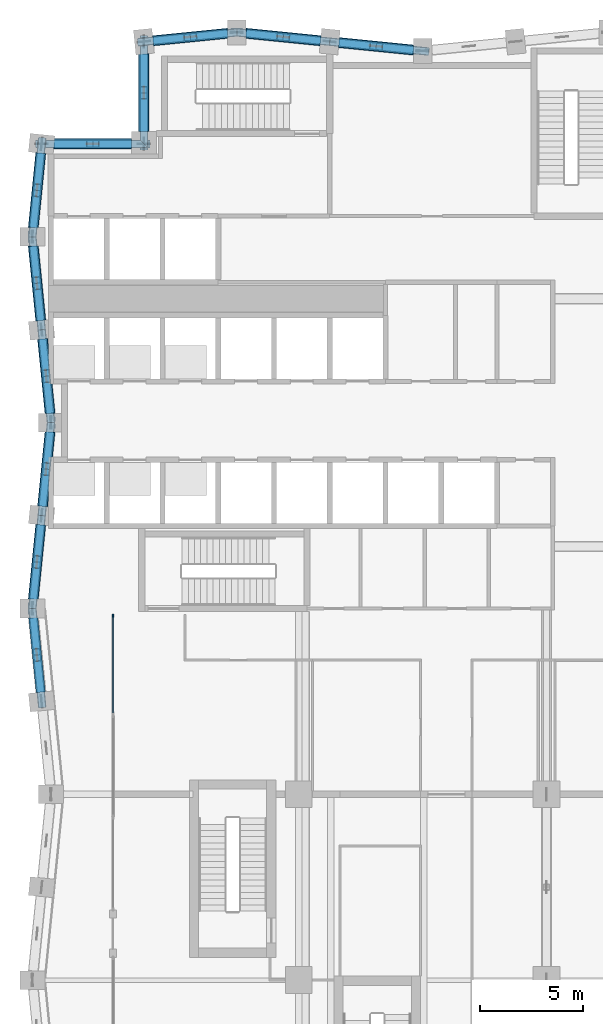
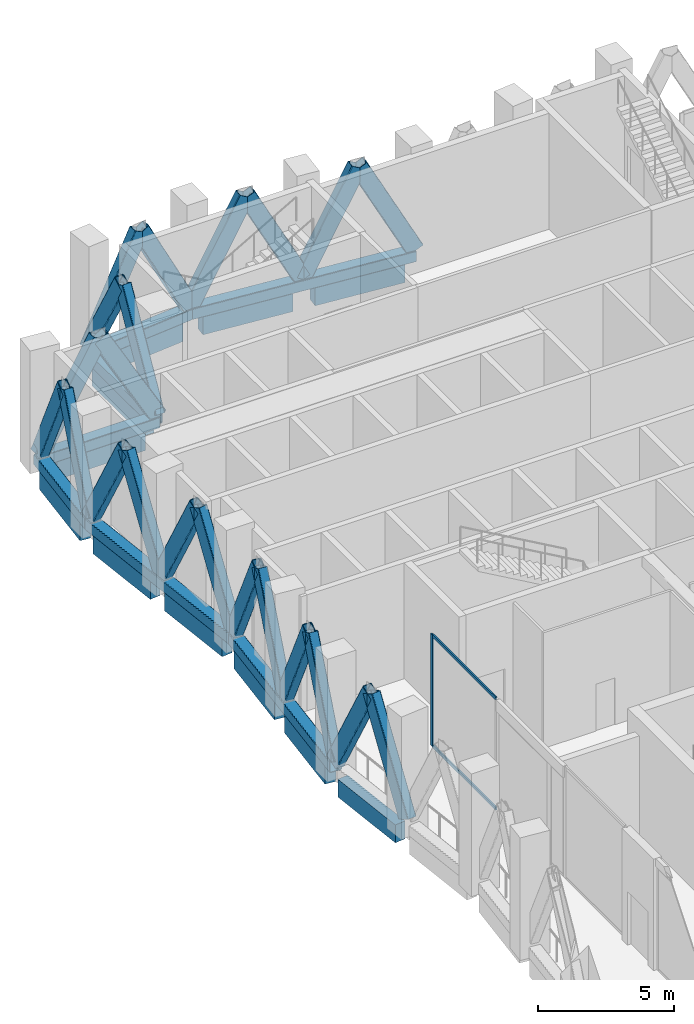
# One storey, part 11 of 37: 32 members, 11 beams, 1 element without a shape of its own.
"""IFC4 building model written with IfcOpenShell, lengths in metres."""

from ifc_helpers import new_model, si_unit, direction, frame, origin, origin_2d, place, context, subcontext, project, spatial, rectangle, hollow_rectangle, extrude, material, material_profile, profile_set, type_object, element, aggregate, save


model = new_model("IFC4")

# Units and contexts
model_context = context("Model", 3, precision=1e-05, world=origin(), true_north=direction((0.0, 1.0)))
body_context = subcontext(model_context, "Body", "Model", "MODEL_VIEW")
ifc_project = project(units=[si_unit("LENGTHUNIT", "METRE"), si_unit("AREAUNIT", "SQUARE_METRE"), si_unit("VOLUMEUNIT", "CUBIC_METRE"), si_unit("PLANEANGLEUNIT", "RADIAN"), si_unit("MASSUNIT", "GRAM", prefix="KILO")], contexts=[model_context])

# Site, building, storey
site_placement = place(None, origin())
site = spatial("IfcSite", under=ifc_project, at=site_placement, CompositionType="ELEMENT")
building_placement = place(site_placement, origin())
building = spatial("IfcBuilding", under=site, at=building_placement, Name="Brondeck Convention Tower", CompositionType="ELEMENT")
storey_placement = place(building_placement, frame((0.0, 0.0, 137.89990234375)))
storey = spatial("IfcBuildingStorey", under=building, at=storey_placement, Name="L33", CompositionType="ELEMENT", Elevation=137.89990234375)

# Curtain wall, members
ifc_material_1 = material(Name="Aluminium, bronze anodised", Category="aluminium")
curtain_wall_type = type_object("IfcCurtainWallType", Name="Sky lobby curtain wall", PredefinedType="NOTDEFINED", material=ifc_material_1)
curtain_wall_placement = place(storey_placement, origin())
curtain_wall = element("IfcCurtainWall", 1, at=curtain_wall_placement, inside=storey, type_object=curtain_wall_type, Name="ENV-L33-029-CW30", PredefinedType="NOTDEFINED")
ifc_material_profile_1 = material_profile(ifc_material_1, rectangle(XDim=0.06005859375, YDim=0.159912109375, at=origin_2d()), Name="CW3 mullion")
ifc_profile_set_1 = profile_set([ifc_material_profile_1], Name="Aluminium, bronze anodised")
member_type_1 = type_object("IfcMemberType", Name="CW3 mullion", PredefinedType="MULLION", material=ifc_profile_set_1)
member_1_placement = place(storey_placement, frame((3.0, 35.64990234375, 0.0), z_axis=(0.0, 0.0, 1.0), x_axis=(-1.0, 0.0, 0.0)))
member_1 = element("IfcMember", 2, at=member_1_placement, type_object=member_type_1, Name="CW3 mullion 2", PredefinedType="MULLION", context=body_context, shape_type="SweptSolid", body=[
    extrude(rectangle(XDim=0.06005859375, YDim=0.159912109375, at=origin_2d()), origin(), (0.0, 0.0, 1.0), 5.0),
])
ifc_material_profile_2 = material_profile(ifc_material_1, rectangle(XDim=0.06005859375, YDim=0.139892578125, at=origin_2d()), Name="CW3 transom")
ifc_profile_set_2 = profile_set([ifc_material_profile_2], Name="Aluminium, bronze anodised")
member_type_2 = type_object("IfcMemberType", Name="CW3 transom", PredefinedType="USERDEFINED", material=ifc_profile_set_2)
member_2_placement = place(storey_placement, frame((3.0, 30.93994140625, 0.030029296875), z_axis=(0.0, 1.0, 0.0), x_axis=(-1.0, 0.0, 0.0)))
member_2 = element("IfcMember", 3, at=member_2_placement, type_object=member_type_2, Name="CW3 transom 1.1", ObjectType="TRANSOM", PredefinedType="USERDEFINED", context=body_context, shape_type="SweptSolid", body=[
    extrude(rectangle(XDim=0.06005859375, YDim=0.139892578125, at=origin_2d()), origin(), (0.0, 0.0, 1.0), 4.68017578125),
])
member_3_placement = place(storey_placement, frame((3.0, 30.93994140625, 4.97021484375), z_axis=(0.0, 1.0, 0.0), x_axis=(-1.0, 0.0, 0.0)))
member_3 = element("IfcMember", 4, at=member_3_placement, type_object=member_type_2, Name="CW3 transom 1.2", ObjectType="TRANSOM", PredefinedType="USERDEFINED", context=body_context, shape_type="SweptSolid", body=[
    extrude(rectangle(XDim=0.06005859375, YDim=0.139892578125, at=origin_2d()), origin(), (0.0, 0.0, 1.0), 4.68017578125),
])
aggregate(curtain_wall, [member_1, member_2, member_3])

# Members
ifc_material_2 = material(Name="Steel S460", Category="steel")
ifc_material_profile_3 = material_profile(ifc_material_2, hollow_rectangle(XDim=0.39990234375, YDim=0.699951171875, WallThickness=0.030029296875, InnerFilletRadius=0.030029296875, OuterFilletRadius=0.06005859375, at=origin_2d()), Name="RHS 700x400x30")
ifc_profile_set_3 = profile_set([ifc_material_profile_3], Name="Steel S460")
member_type_3 = type_object("IfcMemberType", Name="Chevron brace RHS 700x400x30", PredefinedType="BRACE", material=ifc_profile_set_3)
for number, where, z_axis, x_axis, name in (
    (5, (18.0, 63.0, 0.5), (-0.458930303654, 0.045912949215, 0.887285172581), (-0.099546478526, -0.995032913332, 0.0), "Belt truss BT-33-42 diagonal"),
    (6, (13.5, 63.449951171875, 0.5), (0.458931352356, -0.045863256892, 0.887287200117), (0.099439578731, 0.995043602151, 0.0), "Belt truss BT-33-42 diagonal"),
    (7, (13.5, 63.449951171875, 0.5), (-0.458930303654, 0.045912949215, 0.887285172581), (-0.099546478526, -0.995032913332, 0.0), "Belt truss BT-33-43 diagonal"),
    (8, (9.0, 63.89990234375, 0.5), (0.458931352356, -0.045863256892, 0.887287200117), (0.099439578731, 0.995043602151, 0.0), "Belt truss BT-33-43 diagonal"),
    (9, (9.0, 63.89990234375, 0.5), (-0.458931352356, -0.045863256892, 0.887287200117), (0.099439578731, -0.995043602151, 0.0), "Belt truss BT-33-44 diagonal"),
    (10, (4.5, 63.449951171875, 0.5), (0.458930303654, 0.045912949215, 0.887285172581), (-0.099546478526, 0.995032913332, 0.0), "Belt truss BT-33-44 diagonal"),
):
    element("IfcMember", number, at=place(storey_placement, frame(where, z_axis=z_axis, x_axis=x_axis)), inside=storey, type_object=member_type_3, Name=name, PredefinedType="BRACE", context=body_context, shape_type="SweptSolid", body=[
        extrude(hollow_rectangle(XDim=0.39990234375, YDim=0.699951171875, WallThickness=0.030029296875, InnerFilletRadius=0.030029296875, OuterFilletRadius=0.06005859375, at=origin_2d()), origin(), (0.0, 0.0, 1.0), 4.902587890625),
    ])
for number, where, z_axis, x_axis, name in (
    (11, (4.5, 63.449951171875, 0.5), (0.0, -0.494493751194, 0.869181183661), (1.0, 0.0, 0.0), "Belt truss BT-33-45 diagonal"),
    (12, (4.5, 58.5, 0.5), (0.0, 0.494530602788, 0.869160217052), (-1.0, 0.0, 0.0), "Belt truss BT-33-45 diagonal"),
    (13, (4.5, 58.5, 0.5), (-0.494530602788, 0.0, 0.869160217052), (0.0, -1.0, 0.0), "Belt truss BT-33-46 diagonal"),
    (14, (-0.449951171875, 58.5, 0.5), (0.494493751194, 0.0, 0.869181183661), (0.0, 1.0, 0.0), "Belt truss BT-33-46 diagonal"),
):
    element("IfcMember", number, at=place(storey_placement, frame(where, z_axis=z_axis, x_axis=x_axis)), inside=storey, type_object=member_type_3, Name=name, PredefinedType="BRACE", context=body_context, shape_type="SweptSolid", body=[
        extrude(hollow_rectangle(XDim=0.39990234375, YDim=0.699951171875, WallThickness=0.030029296875, InnerFilletRadius=0.030029296875, OuterFilletRadius=0.06005859375, at=origin_2d()), origin(), (0.0, 0.0, 1.0), 5.0048828125),
    ])
for number, where, z_axis, x_axis, name in (
    (15, (-0.449951171875, 58.5, 0.5), (-0.045912949215, -0.458930303654, 0.887285172581), (0.995032913332, -0.099546478526, 0.0), "Belt truss BT-33-47 diagonal"),
    (16, (-0.89990234375, 54.0, 0.5), (0.045863256892, 0.458931352356, 0.887287200117), (-0.995043602151, 0.099439578731, 0.0), "Belt truss BT-33-47 diagonal"),
    (17, (-0.89990234375, 54.0, 0.5), (0.045863256892, -0.458931352356, 0.887287200117), (0.995043602151, 0.099439578731, 0.0), "Belt truss BT-33-48 diagonal"),
    (18, (-0.449951171875, 49.5, 0.5), (-0.045912949215, 0.458930303654, 0.887285172581), (-0.995032913332, -0.099546478526, 0.0), "Belt truss BT-33-48 diagonal"),
    (19, (-0.449951171875, 49.5, 0.5), (0.045863256892, -0.458931352356, 0.887287200117), (0.995043602151, 0.099439578731, 0.0), "Belt truss BT-33-49 diagonal"),
    (20, (0.0, 45.0, 0.5), (-0.045912949215, 0.458930303654, 0.887285172581), (-0.995032913332, -0.099546478526, 0.0), "Belt truss BT-33-49 diagonal"),
    (21, (0.0, 45.0, 0.5), (-0.045912949215, -0.458930303654, 0.887285172581), (0.995032913332, -0.099546478526, 0.0), "Belt truss BT-33-50 diagonal"),
    (22, (-0.449951171875, 40.5, 0.5), (0.045863256892, 0.458931352356, 0.887287200117), (-0.995043602151, 0.099439578731, 0.0), "Belt truss BT-33-50 diagonal"),
    (23, (-0.449951171875, 40.5, 0.5), (-0.045912949215, -0.458930303654, 0.887285172581), (0.995032913332, -0.099546478526, 0.0), "Belt truss BT-33-51 diagonal"),
    (24, (-0.89990234375, 36.0, 0.5), (0.045863256892, 0.458931352356, 0.887287200117), (-0.995043602151, 0.099439578731, 0.0), "Belt truss BT-33-51 diagonal"),
    (25, (-0.89990234375, 36.0, 0.5), (0.045863256892, -0.458931352356, 0.887287200117), (0.995043602151, 0.099439578731, 0.0), "Belt truss BT-33-52 diagonal"),
    (26, (-0.449951171875, 31.5, 0.5), (-0.045912949215, 0.458930303654, 0.887285172581), (-0.995032913332, -0.099546478526, 0.0), "Belt truss BT-33-52 diagonal"),
):
    element("IfcMember", number, at=place(storey_placement, frame(where, z_axis=z_axis, x_axis=x_axis)), inside=storey, type_object=member_type_3, Name=name, PredefinedType="BRACE", context=body_context, shape_type="SweptSolid", body=[
        extrude(hollow_rectangle(XDim=0.39990234375, YDim=0.699951171875, WallThickness=0.030029296875, InnerFilletRadius=0.030029296875, OuterFilletRadius=0.06005859375, at=origin_2d()), origin(), (0.0, 0.0, 1.0), 4.902587890625),
    ])

# Beams
ifc_material_3 = material(Name="Concrete C70/85", Category="concrete")
ifc_material_profile_4 = material_profile(ifc_material_3, rectangle(XDim=0.449951171875, YDim=0.800048828125, at=origin_2d()), Name="Precast spandrel 450x800 Concrete C70/85")
ifc_profile_set_4 = profile_set([ifc_material_profile_4], Name="Concrete C70/85")
beam_type = type_object("IfcBeamType", Name="Precast spandrel 450x800 Concrete C70/85", PredefinedType="SPANDREL", material=ifc_profile_set_4)
for number, where, z_axis, x_axis, name in (
    (27, (17.550048828125, 63.044921875, -0.39990234375), (-0.995033851182, 0.099537103649, 0.0), (-0.099537103649, -0.995033851182, 0.0), "STR-SP-L33-042"),
    (28, (13.05224609375, 63.494873046875, -0.39990234375), (-0.995040528141, 0.099470334057, 0.0), (-0.099470334057, -0.995040528141, 0.0), "STR-SP-L33-043"),
    (29, (8.550048828125, 63.85498046875, -0.39990234375), (-0.995040528141, -0.099470334057, 0.0), (0.099470334057, -0.995040528141, 0.0), "STR-SP-L33-044"),
):
    element("IfcBeam", number, at=place(storey_placement, frame(where, z_axis=z_axis, x_axis=x_axis)), inside=storey, type_object=beam_type, Name=name, PredefinedType="SPANDREL", context=body_context, shape_type="SweptSolid", body=[
        extrude(rectangle(XDim=0.449951171875, YDim=0.800048828125, at=origin_2d()), origin(), (0.0, 0.0, 1.0), 3.620361328125),
    ])
for number, where, z_axis, x_axis, name in (
    (30, (4.5, 62.846923828125, -0.39990234375), (0.0, -1.0, 0.0), (1.0, 0.0, 0.0), "STR-SP-L33-045"),
    (31, (3.89990234375, 58.5, -0.39990234375), (-1.0, 0.0, 0.0), (0.0, -1.0, 0.0), "STR-SP-L33-046"),
):
    element("IfcBeam", number, at=place(storey_placement, frame(where, z_axis=z_axis, x_axis=x_axis)), inside=storey, type_object=beam_type, Name=name, PredefinedType="SPANDREL", context=body_context, shape_type="SweptSolid", body=[
        extrude(rectangle(XDim=0.449951171875, YDim=0.800048828125, at=origin_2d()), origin(), (0.0, 0.0, 1.0), 3.746826171875),
    ])
for number, where, z_axis, x_axis, name in (
    (32, (-0.494873046875, 58.05224609375, -0.39990234375), (-0.099470334057, -0.995040528141, 0.0), (0.995040528141, -0.099470334057, 0.0), "STR-SP-L33-047"),
    (33, (-0.85498046875, 53.550048828125, -0.39990234375), (0.099470334057, -0.995040528141, 0.0), (0.995040528141, 0.099470334057, 0.0), "STR-SP-L33-048"),
    (34, (-0.4052734375, 49.05224609375, -0.39990234375), (0.099537103649, -0.995033851182, 0.0), (0.995033851182, 0.099537103649, 0.0), "STR-SP-L33-049"),
    (35, (-0.044921875, 44.550048828125, -0.39990234375), (-0.099537103649, -0.995033851182, 0.0), (0.995033851182, -0.099537103649, 0.0), "STR-SP-L33-050"),
    (36, (-0.494873046875, 40.05224609375, -0.39990234375), (-0.099470334057, -0.995040528141, 0.0), (0.995040528141, -0.099470334057, 0.0), "STR-SP-L33-051"),
    (37, (-0.85498046875, 35.550048828125, -0.39990234375), (0.099470334057, -0.995040528141, 0.0), (0.995040528141, 0.099470334057, 0.0), "STR-SP-L33-052"),
):
    element("IfcBeam", number, at=place(storey_placement, frame(where, z_axis=z_axis, x_axis=x_axis)), inside=storey, type_object=beam_type, Name=name, PredefinedType="SPANDREL", context=body_context, shape_type="SweptSolid", body=[
        extrude(rectangle(XDim=0.449951171875, YDim=0.800048828125, at=origin_2d()), origin(), (0.0, 0.0, 1.0), 3.620361328125),
    ])

# Members
ifc_material_profile_5 = material_profile(ifc_material_2, hollow_rectangle(XDim=0.5, YDim=0.5, WallThickness=0.02490234375, InnerFilletRadius=0.02490234375, OuterFilletRadius=0.050048828125, at=origin_2d()), Name="RHS 500x500x25")
ifc_profile_set_5 = profile_set([ifc_material_profile_5], Name="Steel S460")
member_type_4 = type_object("IfcMemberType", Name="Truss chord RHS 500x500x25", PredefinedType="CHORD", material=ifc_profile_set_5)
member_4_placement = place(storey_placement, frame((18.0, 63.0, 0.25), z_axis=(-0.995038259148, 0.099493029059, 0.0), x_axis=(-0.099493029059, -0.995038259148, 0.0)))
element("IfcMember", 38, at=member_4_placement, inside=storey, type_object=member_type_4, Name="Belt truss BT-33-22 chord", PredefinedType="CHORD", context=body_context, shape_type="SweptSolid", body=[
    extrude(hollow_rectangle(XDim=0.5, YDim=0.5, WallThickness=0.02490234375, InnerFilletRadius=0.02490234375, OuterFilletRadius=0.050048828125, at=origin_2d()), origin(), (0.0, 0.0, 1.0), 9.044921875),
])
member_5_placement = place(storey_placement, frame((9.0, 63.89990234375, 0.25), z_axis=(-0.995038259148, -0.099493029059, 0.0), x_axis=(0.099493029059, -0.995038259148, 0.0)))
element("IfcMember", 39, at=member_5_placement, inside=storey, type_object=member_type_4, Name="Belt truss BT-33-23 chord", PredefinedType="CHORD", context=body_context, shape_type="SweptSolid", body=[
    extrude(hollow_rectangle(XDim=0.5, YDim=0.5, WallThickness=0.02490234375, InnerFilletRadius=0.02490234375, OuterFilletRadius=0.050048828125, at=origin_2d()), origin(), (0.0, 0.0, 1.0), 4.5224609375),
])
for number, where, z_axis, x_axis, name in (
    (40, (4.5, 63.449951171875, 0.25), (0.0, -1.0, 0.0), (1.0, 0.0, 0.0), "Belt truss BT-33-24 chord"),
    (41, (4.5, 58.5, 0.25), (-1.0, 0.0, 0.0), (0.0, -1.0, 0.0), "Belt truss BT-33-25 chord"),
):
    element("IfcMember", number, at=place(storey_placement, frame(where, z_axis=z_axis, x_axis=x_axis)), inside=storey, type_object=member_type_4, Name=name, PredefinedType="CHORD", context=body_context, shape_type="SweptSolid", body=[
        extrude(hollow_rectangle(XDim=0.5, YDim=0.5, WallThickness=0.02490234375, InnerFilletRadius=0.02490234375, OuterFilletRadius=0.050048828125, at=origin_2d()), origin(), (0.0, 0.0, 1.0), 4.949951171875),
    ])
member_6_placement = place(storey_placement, frame((-0.449951171875, 58.5, 0.25), z_axis=(-0.099493029059, -0.995038259148, 0.0), x_axis=(0.995038259148, -0.099493029059, 0.0)))
element("IfcMember", 42, at=member_6_placement, inside=storey, type_object=member_type_4, Name="Belt truss BT-33-26 chord", PredefinedType="CHORD", context=body_context, shape_type="SweptSolid", body=[
    extrude(hollow_rectangle(XDim=0.5, YDim=0.5, WallThickness=0.02490234375, InnerFilletRadius=0.02490234375, OuterFilletRadius=0.050048828125, at=origin_2d()), origin(), (0.0, 0.0, 1.0), 4.5224609375),
])
for number, where, z_axis, x_axis, name in (
    (43, (-0.89990234375, 54.0, 0.25), (0.099493029059, -0.995038259148, 0.0), (0.995038259148, 0.099493029059, 0.0), "Belt truss BT-33-27 chord"),
    (44, (0.0, 45.0, 0.25), (-0.099493029059, -0.995038259148, 0.0), (0.995038259148, -0.099493029059, 0.0), "Belt truss BT-33-28 chord"),
):
    element("IfcMember", number, at=place(storey_placement, frame(where, z_axis=z_axis, x_axis=x_axis)), inside=storey, type_object=member_type_4, Name=name, PredefinedType="CHORD", context=body_context, shape_type="SweptSolid", body=[
        extrude(hollow_rectangle(XDim=0.5, YDim=0.5, WallThickness=0.02490234375, InnerFilletRadius=0.02490234375, OuterFilletRadius=0.050048828125, at=origin_2d()), origin(), (0.0, 0.0, 1.0), 9.044921875),
    ])

save(model, "model.ifc")
